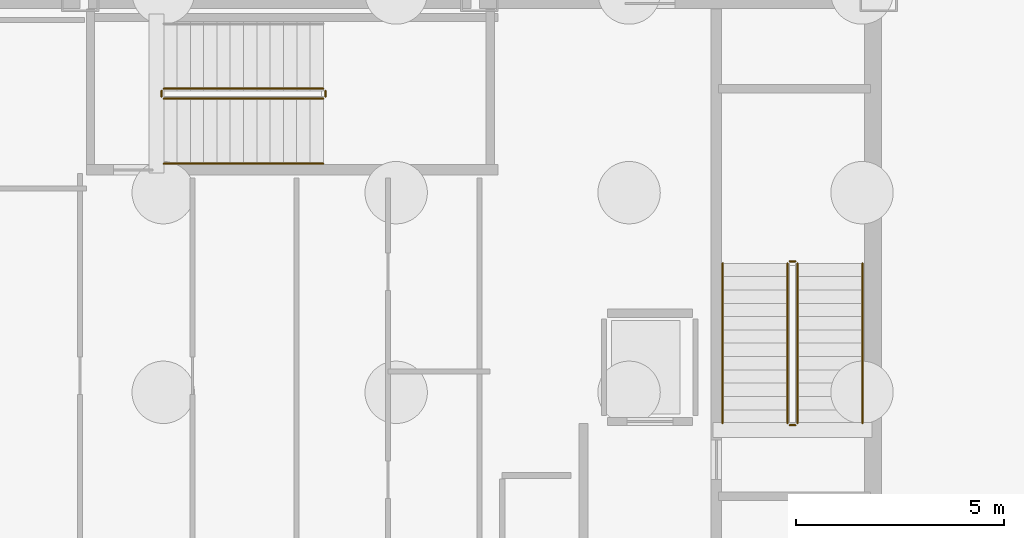
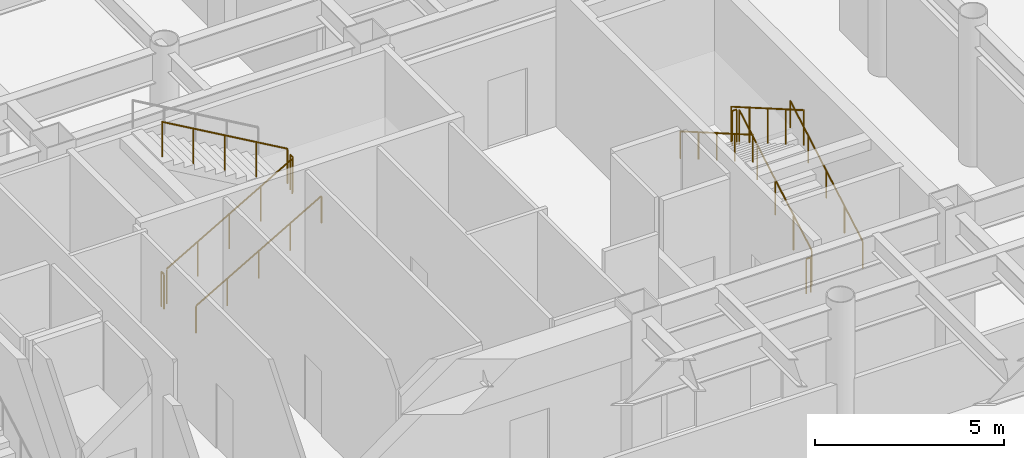
# One storey, part 15 of 17: 11 railings.
"""IFC4 building model written with IfcOpenShell, lengths in metres."""

from ifc_helpers import new_model, si_unit, direction, frame, origin, origin_2d, place, context, subcontext, project, spatial, circle, extrude, material, layer, layer_set, type_object, element, save


model = new_model("IFC4")

# Units and contexts
model_context = context("Model", 3, precision=1e-05, world=origin(), true_north=direction((0.0, 1.0)))
body_context = subcontext(model_context, "Body", "Model", "MODEL_VIEW")
ifc_project = project(units=[si_unit("LENGTHUNIT", "METRE"), si_unit("AREAUNIT", "SQUARE_METRE"), si_unit("VOLUMEUNIT", "CUBIC_METRE"), si_unit("PLANEANGLEUNIT", "RADIAN"), si_unit("MASSUNIT", "GRAM", prefix="KILO")], contexts=[model_context])

# Site, building, storey
site_placement = place(None, origin())
site = spatial("IfcSite", under=ifc_project, at=site_placement, CompositionType="ELEMENT")
building_placement = place(site_placement, origin())
building = spatial("IfcBuilding", under=site, at=building_placement, Name="Kallvorn Hotel Tower", CompositionType="ELEMENT")
storey_placement = place(building_placement, frame((0.0, 0.0, -10.199951171875)))
storey = spatial("IfcBuildingStorey", under=building, at=storey_placement, Name="B2", CompositionType="ELEMENT", Elevation=-10.199951171875)

# Railings
ifc_material_1 = material(Name="Brushed stainless-steel tubular railing", Category="steel")
ifc_layer_1 = layer(ifc_material_1, 0.050048828125)
ifc_layer_set_1 = layer_set([ifc_layer_1], Name="RL_STAIR_GUARD")
railing_type_1 = type_object("IfcRailingType", Name="RL_STAIR_GUARD", PredefinedType="GUARDRAIL", material=ifc_layer_set_1)
railing_1_placement = place(storey_placement, frame((12.449951171875, -3.139892578125, 0.1845703125)))
element("IfcRailing", 1, at=railing_1_placement, inside=storey, type_object=railing_type_1, Name="B2 ST2 stair guard 1", PredefinedType="GUARDRAIL", context=body_context, shape_type="SweptSolid", body=[
    extrude(circle(Radius=0.02392578125, at=origin_2d()), frame((0.0, 0.0, 1.1259765625), z_axis=(0.0, 0.866181918593, 0.499728810358), x_axis=(-1.0, 0.0, 0.0)), (0.0, 0.0, 1.0), 4.43310546875),
    extrude(circle(Radius=0.02099609375, at=origin_2d()), origin(), (0.0, 0.0, 1.0), 1.101806640625),
    extrude(circle(Radius=0.02099609375, at=origin_2d()), frame((0.0, 0.9599609375, 0.5537109375)), (0.0, 0.0, 1.0), 1.101806640625),
    extrude(circle(Radius=0.02099609375, at=origin_2d()), frame((0.0, 1.919921875, 1.107666015625)), (0.0, 0.0, 1.0), 1.101806640625),
    extrude(circle(Radius=0.02099609375, at=origin_2d()), frame((0.0, 2.8798828125, 1.66162109375)), (0.0, 0.0, 1.0), 1.101806640625),
    extrude(circle(Radius=0.02099609375, at=origin_2d()), frame((0.0, 3.83984375, 2.21533203125)), (0.0, 0.0, 1.0), 1.101806640625),
])
railing_2_placement = place(storey_placement, frame((12.39990234375, 0.75, 2.39990234375)))
element("IfcRailing", 2, at=railing_2_placement, inside=storey, type_object=railing_type_1, Name="B2 ST2 stair guard 2", PredefinedType="GUARDRAIL", context=body_context, shape_type="SweptSolid", body=[
    extrude(circle(Radius=0.02392578125, at=origin_2d()), frame((0.0, 0.0, 1.1259765625), z_axis=(-1.0, 0.0, 0.0), x_axis=(0.0, -1.0, 0.0)), (0.0, 0.0, 1.0), 0.139892578125),
    extrude(circle(Radius=0.02099609375, at=origin_2d()), origin(), (0.0, 0.0, 1.0), 1.101806640625),
    extrude(circle(Radius=0.02099609375, at=origin_2d()), frame((-0.139892578125, 0.0, 0.0)), (0.0, 0.0, 1.0), 1.101806640625),
])
railing_3_placement = place(storey_placement, frame((12.2099609375, 0.699951171875, 2.58447265625)))
element("IfcRailing", 3, at=railing_3_placement, inside=storey, type_object=railing_type_1, Name="B2 ST2 stair guard 3", PredefinedType="GUARDRAIL", context=body_context, shape_type="SweptSolid", body=[
    extrude(circle(Radius=0.02392578125, at=origin_2d()), frame((0.0, 0.0, 1.1259765625), z_axis=(0.0, -0.866158079753, 0.499770128037), x_axis=(1.0, 0.0, 0.0)), (0.0, 0.0, 1.0), 4.43310546875),
    extrude(circle(Radius=0.02099609375, at=origin_2d()), origin(), (0.0, 0.0, 1.0), 1.101806640625),
    extrude(circle(Radius=0.02099609375, at=origin_2d()), frame((0.0, -0.9599609375, 0.553955078125)), (0.0, 0.0, 1.0), 1.101806640625),
    extrude(circle(Radius=0.02099609375, at=origin_2d()), frame((0.0, -1.919921875, 1.10791015625)), (0.0, 0.0, 1.0), 1.101806640625),
    extrude(circle(Radius=0.02099609375, at=origin_2d()), frame((0.0, -2.8798828125, 1.66162109375)), (0.0, 0.0, 1.0), 1.101806640625),
    extrude(circle(Radius=0.02099609375, at=origin_2d()), frame((0.0, -3.83984375, 2.215576171875)), (0.0, 0.0, 1.0), 1.101806640625),
])
railing_4_placement = place(storey_placement, frame((12.39990234375, -3.18994140625, 0.0)))
element("IfcRailing", 4, at=railing_4_placement, inside=storey, type_object=railing_type_1, Name="B2 ST2 stair guard 4", PredefinedType="GUARDRAIL", context=body_context, shape_type="SweptSolid", body=[
    extrude(circle(Radius=0.02392578125, at=origin_2d()), frame((0.0, 0.0, 1.1259765625), z_axis=(-1.0, 0.0, 0.0), x_axis=(0.0, -1.0, 0.0)), (0.0, 0.0, 1.0), 0.139892578125),
    extrude(circle(Radius=0.02099609375, at=origin_2d()), origin(), (0.0, 0.0, 1.0), 1.101806640625),
    extrude(circle(Radius=0.02099609375, at=origin_2d()), frame((-0.139892578125, 0.0, 0.0)), (0.0, 0.0, 1.0), 1.101806640625),
])
railing_5_placement = place(storey_placement, frame((-2.7900390625, 4.659912109375, 0.1845703125)))
element("IfcRailing", 5, at=railing_5_placement, inside=storey, type_object=railing_type_1, Name="B2 ST3 stair guard 1", PredefinedType="GUARDRAIL", context=body_context, shape_type="SweptSolid", body=[
    extrude(circle(Radius=0.02392578125, at=origin_2d()), frame((0.0, 0.0, 1.1259765625), z_axis=(0.866195670829, 0.0, 0.499704972796), x_axis=(0.0, 1.0, 0.0)), (0.0, 0.0, 1.0), 4.433349609375),
    extrude(circle(Radius=0.02099609375, at=origin_2d()), origin(), (0.0, 0.0, 1.0), 1.101806640625),
    extrude(circle(Radius=0.02099609375, at=origin_2d()), frame((0.9599609375, 0.0, 0.5537109375)), (0.0, 0.0, 1.0), 1.101806640625),
    extrude(circle(Radius=0.02099609375, at=origin_2d()), frame((1.919921875, 0.0, 1.107666015625)), (0.0, 0.0, 1.0), 1.101806640625),
    extrude(circle(Radius=0.02099609375, at=origin_2d()), frame((2.880126953125, 0.0, 1.66162109375)), (0.0, 0.0, 1.0), 1.101806640625),
    extrude(circle(Radius=0.02099609375, at=origin_2d()), frame((3.840087890625, 0.0, 2.21533203125)), (0.0, 0.0, 1.0), 1.101806640625),
])
railing_6_placement = place(storey_placement, frame((1.10009765625, 4.7099609375, 2.39990234375)))
element("IfcRailing", 6, at=railing_6_placement, inside=storey, type_object=railing_type_1, Name="B2 ST3 stair guard 2", PredefinedType="GUARDRAIL", context=body_context, shape_type="SweptSolid", body=[
    extrude(circle(Radius=0.02392578125, at=origin_2d()), frame((0.0, 0.0, 1.1259765625), z_axis=(0.0, 1.0, 0.0), x_axis=(-1.0, 0.0, 0.0)), (0.0, 0.0, 1.0), 0.14013671875),
    extrude(circle(Radius=0.02099609375, at=origin_2d()), origin(), (0.0, 0.0, 1.0), 1.101806640625),
    extrude(circle(Radius=0.02099609375, at=origin_2d()), frame((0.0, 0.14013671875, 0.0)), (0.0, 0.0, 1.0), 1.101806640625),
])
railing_7_placement = place(storey_placement, frame((1.050048828125, 4.89990234375, 2.58447265625)))
element("IfcRailing", 7, at=railing_7_placement, inside=storey, type_object=railing_type_1, Name="B2 ST3 stair guard 3", PredefinedType="GUARDRAIL", context=body_context, shape_type="SweptSolid", body=[
    extrude(circle(Radius=0.02392578125, at=origin_2d()), frame((0.0, 0.0, 1.1259765625), z_axis=(-0.866171833885, 0.0, 0.499746289815), x_axis=(0.0, -1.0, 0.0)), (0.0, 0.0, 1.0), 4.433349609375),
    extrude(circle(Radius=0.02099609375, at=origin_2d()), origin(), (0.0, 0.0, 1.0), 1.101806640625),
    extrude(circle(Radius=0.02099609375, at=origin_2d()), frame((-0.9599609375, 0.0, 0.553955078125)), (0.0, 0.0, 1.0), 1.101806640625),
    extrude(circle(Radius=0.02099609375, at=origin_2d()), frame((-1.919921875, 0.0, 1.10791015625)), (0.0, 0.0, 1.0), 1.101806640625),
    extrude(circle(Radius=0.02099609375, at=origin_2d()), frame((-2.880126953125, 0.0, 1.66162109375)), (0.0, 0.0, 1.0), 1.101806640625),
    extrude(circle(Radius=0.02099609375, at=origin_2d()), frame((-3.840087890625, 0.0, 2.215576171875)), (0.0, 0.0, 1.0), 1.101806640625),
])
railing_8_placement = place(storey_placement, frame((-2.840087890625, 4.7099609375, 0.0)))
element("IfcRailing", 8, at=railing_8_placement, inside=storey, type_object=railing_type_1, Name="B2 ST3 stair guard 4", PredefinedType="GUARDRAIL", context=body_context, shape_type="SweptSolid", body=[
    extrude(circle(Radius=0.02392578125, at=origin_2d()), frame((0.0, 0.0, 1.1259765625), z_axis=(0.0, 1.0, 0.0), x_axis=(-1.0, 0.0, 0.0)), (0.0, 0.0, 1.0), 0.14013671875),
    extrude(circle(Radius=0.02099609375, at=origin_2d()), origin(), (0.0, 0.0, 1.0), 1.101806640625),
    extrude(circle(Radius=0.02099609375, at=origin_2d()), frame((0.0, 0.14013671875, 0.0)), (0.0, 0.0, 1.0), 1.101806640625),
])
ifc_material_2 = material(Name="Brushed stainless-steel tubular railing", Category="steel")
ifc_layer_2 = layer(ifc_material_2, 0.050048828125)
ifc_layer_set_2 = layer_set([ifc_layer_2], Name="RL_STAIR_HAND")
railing_type_2 = type_object("IfcRailingType", Name="RL_STAIR_HAND", PredefinedType="HANDRAIL", material=ifc_layer_set_2)
railing_9_placement = place(storey_placement, frame((14.010009765625, -3.139892578125, 0.1845703125)))
element("IfcRailing", 9, at=railing_9_placement, inside=storey, type_object=railing_type_2, Name="B2 ST2 stair handrail 1", PredefinedType="HANDRAIL", context=body_context, shape_type="SweptSolid", body=[
    extrude(circle(Radius=0.02392578125, at=origin_2d()), frame((0.0, 0.0, 0.8759765625), z_axis=(0.0, 0.866181918593, 0.499728810358), x_axis=(-1.0, 0.0, 0.0)), (0.0, 0.0, 1.0), 4.43310546875),
    extrude(circle(Radius=0.02099609375, at=origin_2d()), origin(), (0.0, 0.0, 1.0), 0.851806640625),
    extrude(circle(Radius=0.02099609375, at=origin_2d()), frame((0.0, 0.9599609375, 0.5537109375)), (0.0, 0.0, 1.0), 0.851806640625),
    extrude(circle(Radius=0.02099609375, at=origin_2d()), frame((0.0, 1.919921875, 1.107666015625)), (0.0, 0.0, 1.0), 0.851806640625),
    extrude(circle(Radius=0.02099609375, at=origin_2d()), frame((0.0, 2.8798828125, 1.66162109375)), (0.0, 0.0, 1.0), 0.851806640625),
    extrude(circle(Radius=0.02099609375, at=origin_2d()), frame((0.0, 3.83984375, 2.21533203125)), (0.0, 0.0, 1.0), 0.851806640625),
])
railing_10_placement = place(storey_placement, frame((10.64990234375, 0.699951171875, 2.58447265625)))
element("IfcRailing", 10, at=railing_10_placement, inside=storey, type_object=railing_type_2, Name="B2 ST2 stair handrail 2", PredefinedType="HANDRAIL", context=body_context, shape_type="SweptSolid", body=[
    extrude(circle(Radius=0.02392578125, at=origin_2d()), frame((0.0, 0.0, 0.8759765625), z_axis=(0.0, -0.866158079753, 0.499770128037), x_axis=(1.0, 0.0, 0.0)), (0.0, 0.0, 1.0), 4.43310546875),
    extrude(circle(Radius=0.02099609375, at=origin_2d()), origin(), (0.0, 0.0, 1.0), 0.851806640625),
    extrude(circle(Radius=0.02099609375, at=origin_2d()), frame((0.0, -0.9599609375, 0.553955078125)), (0.0, 0.0, 1.0), 0.851806640625),
    extrude(circle(Radius=0.02099609375, at=origin_2d()), frame((0.0, -1.919921875, 1.10791015625)), (0.0, 0.0, 1.0), 0.851806640625),
    extrude(circle(Radius=0.02099609375, at=origin_2d()), frame((0.0, -2.8798828125, 1.66162109375)), (0.0, 0.0, 1.0), 0.851806640625),
    extrude(circle(Radius=0.02099609375, at=origin_2d()), frame((0.0, -3.83984375, 2.215576171875)), (0.0, 0.0, 1.0), 0.851806640625),
])
railing_11_placement = place(storey_placement, frame((-2.7900390625, 3.10009765625, 0.1845703125)))
element("IfcRailing", 11, at=railing_11_placement, inside=storey, type_object=railing_type_2, Name="B2 ST3 stair handrail 1", PredefinedType="HANDRAIL", context=body_context, shape_type="SweptSolid", body=[
    extrude(circle(Radius=0.02392578125, at=origin_2d()), frame((0.0, 0.0, 0.8759765625), z_axis=(0.866195670829, 0.0, 0.499704972796), x_axis=(0.0, 1.0, 0.0)), (0.0, 0.0, 1.0), 4.433349609375),
    extrude(circle(Radius=0.02099609375, at=origin_2d()), origin(), (0.0, 0.0, 1.0), 0.851806640625),
    extrude(circle(Radius=0.02099609375, at=origin_2d()), frame((0.9599609375, 0.0, 0.5537109375)), (0.0, 0.0, 1.0), 0.851806640625),
    extrude(circle(Radius=0.02099609375, at=origin_2d()), frame((1.919921875, 0.0, 1.107666015625)), (0.0, 0.0, 1.0), 0.851806640625),
    extrude(circle(Radius=0.02099609375, at=origin_2d()), frame((2.880126953125, 0.0, 1.66162109375)), (0.0, 0.0, 1.0), 0.851806640625),
    extrude(circle(Radius=0.02099609375, at=origin_2d()), frame((3.840087890625, 0.0, 2.21533203125)), (0.0, 0.0, 1.0), 0.851806640625),
])

save(model, "model.ifc")
